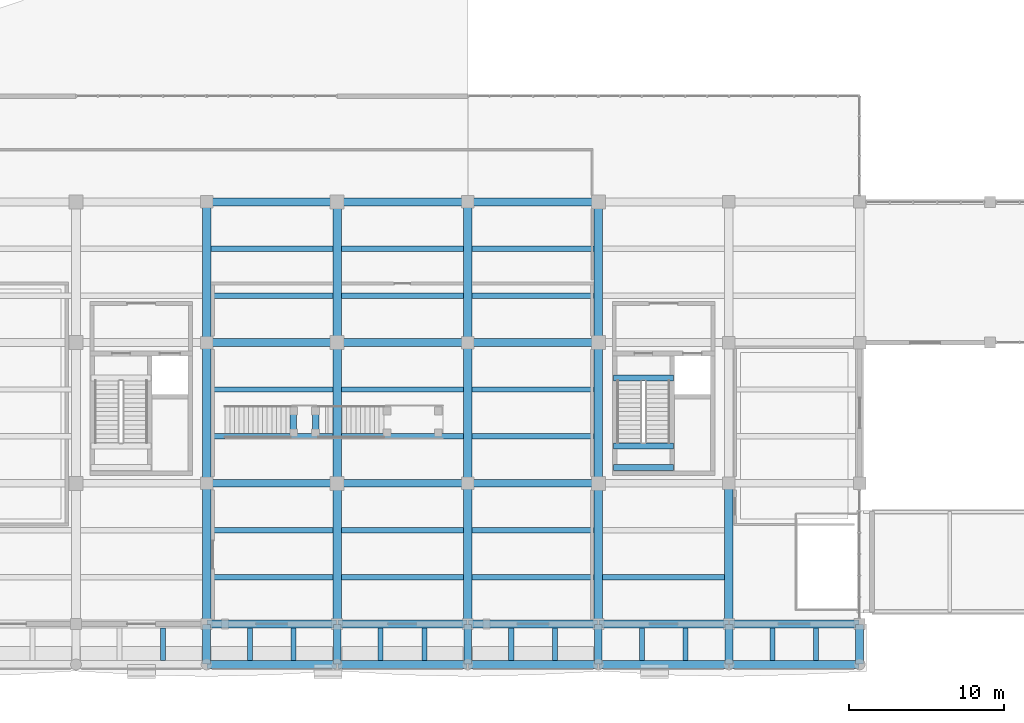
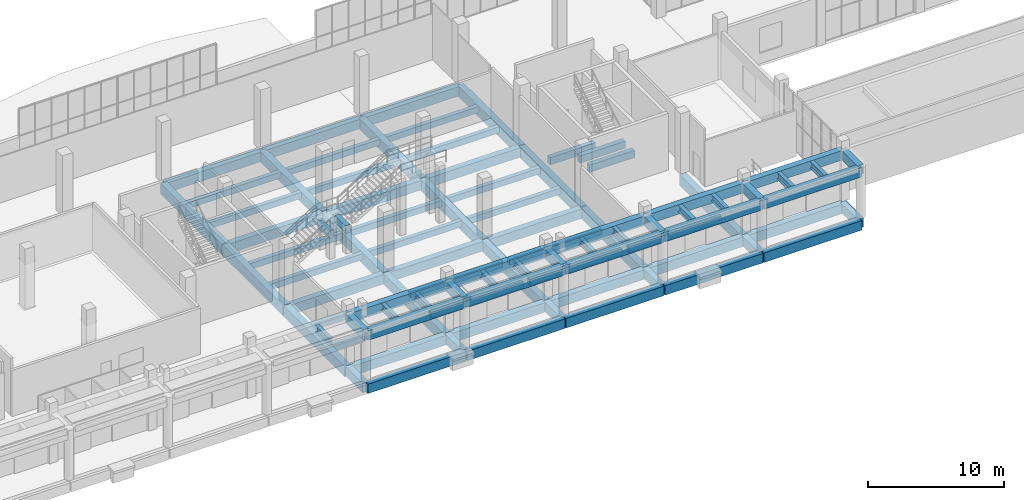
# One storey, part 21 of 91: 89 beams.
"""IFC4 building model written with IfcOpenShell, lengths in metres."""

from ifc_helpers import new_model, si_unit, direction, frame, origin, origin_2d, place, context, subcontext, project, spatial, rectangle, i_section, extrude, material, material_profile, profile_set, type_object, element, save


model = new_model("IFC4")

# Units and contexts
model_context = context("Model", 3, precision=1e-05, world=origin(), true_north=direction((0.0, 1.0)))
body_context = subcontext(model_context, "Body", "Model", "MODEL_VIEW")
ifc_project = project(units=[si_unit("LENGTHUNIT", "METRE"), si_unit("AREAUNIT", "SQUARE_METRE"), si_unit("VOLUMEUNIT", "CUBIC_METRE"), si_unit("PLANEANGLEUNIT", "RADIAN"), si_unit("MASSUNIT", "GRAM", prefix="KILO")], contexts=[model_context])

# Site, building, storey
site_placement = place(None, origin())
site = spatial("IfcSite", under=ifc_project, at=site_placement, CompositionType="ELEMENT")
building_placement = place(site_placement, origin())
building = spatial("IfcBuilding", under=site, at=building_placement, Name="Khurvash Pelagic Aquarium", CompositionType="ELEMENT")
storey_placement = place(building_placement, origin())
storey = spatial("IfcBuildingStorey", under=building, at=storey_placement, Name="L00", CompositionType="ELEMENT", Elevation=0.0)

# Beams
ifc_material_1 = material(Name="Concrete C40/50", Category="concrete")
ifc_material_profile_1 = material_profile(ifc_material_1, rectangle(XDim=0.550048828125, YDim=0.949951171875, at=origin_2d()), Name="RC550X950")
ifc_profile_set_1 = profile_set([ifc_material_profile_1], Name="Concrete C40/50")
beam_type_1 = type_object("IfcBeamType", Name="BM-02", PredefinedType="BEAM", material=ifc_profile_set_1)
beam_1_placement = place(storey_placement, frame((67.199951171875, 2.639892578125, -0.794921875), z_axis=(0.0, 1.0, 0.0), x_axis=(-1.0, 0.0, 0.0)))
element("IfcBeam", 1, at=beam_1_placement, inside=storey, type_object=beam_type_1, Name="L00 Primary Girder BM-02 00106", PredefinedType="BEAM", context=body_context, shape_type="SweptSolid", body=[
    extrude(rectangle(XDim=0.550048828125, YDim=0.949951171875, at=origin_2d()), origin(), (0.0, 0.0, 1.0), 8.97021484375),
])
for number, where, z_axis, x_axis, name in (
    (2, (67.199951171875, 11.68994140625, -0.794921875), (0.0, 1.0, 0.0), (-1.0, 0.0, 0.0), "L00 Primary Girder BM-02 00107"),
    (3, (67.199951171875, 20.739990234375, -0.794921875), (0.0, 1.0, 0.0), (-1.0, 0.0, 0.0), "L00 Primary Girder BM-02 00108"),
):
    element("IfcBeam", number, at=place(storey_placement, frame(where, z_axis=z_axis, x_axis=x_axis)), inside=storey, type_object=beam_type_1, Name=name, PredefinedType="BEAM", context=body_context, shape_type="SweptSolid", body=[
        extrude(rectangle(XDim=0.550048828125, YDim=0.949951171875, at=origin_2d()), origin(), (0.0, 0.0, 1.0), 8.969970703125),
    ])
beam_2_placement = place(storey_placement, frame((75.60009765625, 2.639892578125, -0.794921875), z_axis=(0.0, 1.0, 0.0), x_axis=(-1.0, 0.0, 0.0)))
element("IfcBeam", 4, at=beam_2_placement, inside=storey, type_object=beam_type_1, Name="L00 Primary Girder BM-02 00111", PredefinedType="BEAM", context=body_context, shape_type="SweptSolid", body=[
    extrude(rectangle(XDim=0.550048828125, YDim=0.949951171875, at=origin_2d()), origin(), (0.0, 0.0, 1.0), 8.97021484375),
])
for number, where, z_axis, x_axis, name in (
    (5, (75.60009765625, 11.68994140625, -0.794921875), (0.0, 1.0, 0.0), (-1.0, 0.0, 0.0), "L00 Primary Girder BM-02 00112"),
    (6, (75.60009765625, 20.739990234375, -0.794921875), (0.0, 1.0, 0.0), (-1.0, 0.0, 0.0), "L00 Primary Girder BM-02 00113"),
):
    element("IfcBeam", number, at=place(storey_placement, frame(where, z_axis=z_axis, x_axis=x_axis)), inside=storey, type_object=beam_type_1, Name=name, PredefinedType="BEAM", context=body_context, shape_type="SweptSolid", body=[
        extrude(rectangle(XDim=0.550048828125, YDim=0.949951171875, at=origin_2d()), origin(), (0.0, 0.0, 1.0), 8.969970703125),
    ])
beam_3_placement = place(storey_placement, frame((84.0, 2.639892578125, -0.794921875), z_axis=(0.0, 1.0, 0.0), x_axis=(-1.0, 0.0, 0.0)))
element("IfcBeam", 7, at=beam_3_placement, inside=storey, type_object=beam_type_1, Name="L00 Primary Girder BM-02 00116", PredefinedType="BEAM", context=body_context, shape_type="SweptSolid", body=[
    extrude(rectangle(XDim=0.550048828125, YDim=0.949951171875, at=origin_2d()), origin(), (0.0, 0.0, 1.0), 8.97021484375),
])
for number, where, z_axis, x_axis, name in (
    (8, (84.0, 11.68994140625, -0.794921875), (0.0, 1.0, 0.0), (-1.0, 0.0, 0.0), "L00 Primary Girder BM-02 00117"),
    (9, (84.0, 20.739990234375, -0.794921875), (0.0, 1.0, 0.0), (-1.0, 0.0, 0.0), "L00 Primary Girder BM-02 00118"),
):
    element("IfcBeam", number, at=place(storey_placement, frame(where, z_axis=z_axis, x_axis=x_axis)), inside=storey, type_object=beam_type_1, Name=name, PredefinedType="BEAM", context=body_context, shape_type="SweptSolid", body=[
        extrude(rectangle(XDim=0.550048828125, YDim=0.949951171875, at=origin_2d()), origin(), (0.0, 0.0, 1.0), 8.969970703125),
    ])
beam_4_placement = place(storey_placement, frame((92.39990234375, 2.639892578125, -0.794921875), z_axis=(0.0, 1.0, 0.0), x_axis=(-1.0, 0.0, 0.0)))
element("IfcBeam", 10, at=beam_4_placement, inside=storey, type_object=beam_type_1, Name="L00 Primary Girder BM-02 00121", PredefinedType="BEAM", context=body_context, shape_type="SweptSolid", body=[
    extrude(rectangle(XDim=0.550048828125, YDim=0.949951171875, at=origin_2d()), origin(), (0.0, 0.0, 1.0), 8.97021484375),
])
for number, where, z_axis, x_axis, name in (
    (11, (92.39990234375, 11.68994140625, -0.794921875), (0.0, 1.0, 0.0), (-1.0, 0.0, 0.0), "L00 Primary Girder BM-02 00122"),
    (12, (92.39990234375, 20.739990234375, -0.794921875), (0.0, 1.0, 0.0), (-1.0, 0.0, 0.0), "L00 Primary Girder BM-02 00123"),
):
    element("IfcBeam", number, at=place(storey_placement, frame(where, z_axis=z_axis, x_axis=x_axis)), inside=storey, type_object=beam_type_1, Name=name, PredefinedType="BEAM", context=body_context, shape_type="SweptSolid", body=[
        extrude(rectangle(XDim=0.550048828125, YDim=0.949951171875, at=origin_2d()), origin(), (0.0, 0.0, 1.0), 8.969970703125),
    ])
beam_5_placement = place(storey_placement, frame((100.800048828125, 2.639892578125, -0.794921875), z_axis=(0.0, 1.0, 0.0), x_axis=(-1.0, 0.0, 0.0)))
element("IfcBeam", 13, at=beam_5_placement, inside=storey, type_object=beam_type_1, Name="L00 Primary Girder BM-02 00126", PredefinedType="BEAM", context=body_context, shape_type="SweptSolid", body=[
    extrude(rectangle(XDim=0.550048828125, YDim=0.949951171875, at=origin_2d()), origin(), (0.0, 0.0, 1.0), 8.97021484375),
])
ifc_material_profile_2 = material_profile(ifc_material_1, rectangle(XDim=0.5, YDim=0.85009765625, at=origin_2d()), Name="RC500X850")
ifc_profile_set_2 = profile_set([ifc_material_profile_2], Name="Concrete C40/50")
beam_type_2 = type_object("IfcBeamType", Name="BM-03", PredefinedType="BEAM", material=ifc_profile_set_2)
for number, where, z_axis, x_axis, name in (
    (14, (67.239990234375, 11.64990234375, -0.7451171875), (1.0, 0.0, 0.0), (0.0, 1.0, 0.0), "L00 Primary Girder BM-03 00016"),
    (15, (75.639892578125, 11.64990234375, -0.7451171875), (1.0, 0.0, 0.0), (0.0, 1.0, 0.0), "L00 Primary Girder BM-03 00017"),
    (16, (84.0400390625, 11.64990234375, -0.7451171875), (1.0, 0.0, 0.0), (0.0, 1.0, 0.0), "L00 Primary Girder BM-03 00018"),
    (17, (67.239990234375, 20.699951171875, -0.7451171875), (1.0, 0.0, 0.0), (0.0, 1.0, 0.0), "L00 Primary Girder BM-03 00026"),
    (18, (75.639892578125, 20.699951171875, -0.7451171875), (1.0, 0.0, 0.0), (0.0, 1.0, 0.0), "L00 Primary Girder BM-03 00027"),
    (19, (84.0400390625, 20.699951171875, -0.7451171875), (1.0, 0.0, 0.0), (0.0, 1.0, 0.0), "L00 Primary Girder BM-03 00028"),
    (20, (67.239990234375, 29.75, -0.7451171875), (1.0, 0.0, 0.0), (0.0, 1.0, 0.0), "L00 Primary Girder BM-03 00036"),
    (21, (75.639892578125, 29.75, -0.7451171875), (1.0, 0.0, 0.0), (0.0, 1.0, 0.0), "L00 Primary Girder BM-03 00037"),
    (22, (84.0400390625, 29.75, -0.7451171875), (1.0, 0.0, 0.0), (0.0, 1.0, 0.0), "L00 Primary Girder BM-03 00038"),
):
    element("IfcBeam", number, at=place(storey_placement, frame(where, z_axis=z_axis, x_axis=x_axis)), inside=storey, type_object=beam_type_2, Name=name, PredefinedType="BEAM", context=body_context, shape_type="SweptSolid", body=[
        extrude(rectangle(XDim=0.5, YDim=0.85009765625, at=origin_2d()), origin(), (0.0, 0.0, 1.0), 8.320068359375),
    ])
ifc_material_2 = material(Name="Concrete C35/45", Category="concrete")
ifc_material_profile_3 = material_profile(ifc_material_2, rectangle(XDim=0.39990234375, YDim=0.64990234375, at=origin_2d()), Name="RC400X650")
ifc_profile_set_3 = profile_set([ifc_material_profile_3], Name="Concrete C35/45")
beam_type_3 = type_object("IfcBeamType", Name="BM-05", PredefinedType="BEAM", material=ifc_profile_set_3)
for number, where, z_axis, x_axis, name in (
    (23, (93.3798828125, 18.429931640625, -0.64501953125), (1.0, 0.0, 0.0), (0.0, 1.0, 0.0), "L00 Stair ST-03 Header Trimmer Beam BM-05"),
    (24, (93.3798828125, 12.669921875, 2.175048828125), (1.0, 0.0, 0.0), (0.0, 1.0, 0.0), "L00 Stair ST-03 Mid-Landing Trimmer Beam BM-05"),
    (25, (93.3798828125, 14.0400390625, 2.175048828125), (1.0, 0.0, 0.0), (0.0, 1.0, 0.0), "L00 Stair ST-03 Mid-Landing Trimmer Beam BM-05"),
):
    element("IfcBeam", number, at=place(storey_placement, frame(where, z_axis=z_axis, x_axis=x_axis)), inside=storey, type_object=beam_type_3, Name=name, PredefinedType="BEAM", context=body_context, shape_type="SweptSolid", body=[
        extrude(rectangle(XDim=0.39990234375, YDim=0.64990234375, at=origin_2d()), origin(), (0.0, 0.0, 1.0), 3.840087890625),
    ])
for number, where, z_axis, x_axis, name in (
    (26, (72.780029296875, 14.800048828125, 2.074951171875), (0.0, 1.0, 0.0), (-1.0, 0.0, 0.0), "Foyer Feature Stair ST-07 Trimmer Beam BM-05"),
    (27, (74.219970703125, 14.800048828125, 2.074951171875), (0.0, 1.0, 0.0), (-1.0, 0.0, 0.0), "Foyer Feature Stair ST-07 Trimmer Beam BM-05"),
):
    element("IfcBeam", number, at=place(storey_placement, frame(where, z_axis=z_axis, x_axis=x_axis)), inside=storey, type_object=beam_type_3, Name=name, PredefinedType="BEAM", context=body_context, shape_type="SweptSolid", body=[
        extrude(rectangle(XDim=0.39990234375, YDim=0.64990234375, at=origin_2d()), origin(), (0.0, 0.0, 1.0), 1.599853515625),
    ])
ifc_material_3 = material(Name="Steel ASTM A992 Grade 50", Category="steel")
ifc_material_profile_4 = material_profile(ifc_material_3, i_section(OverallWidth=0.324951171875, OverallDepth=0.612060546875, WebThickness=0.0126953125, FlangeThickness=0.01904296875, at=origin_2d()), Name="W24X104")
ifc_profile_set_4 = profile_set([ifc_material_profile_4], Name="Steel ASTM A992 Grade 50")
beam_type_4 = type_object("IfcBeamType", Name="BM-15", PredefinedType="BEAM", material=ifc_profile_set_4)
for number, where, z_axis, x_axis, name in (
    (28, (64.403076171875, 2.340087890625, 4.194091796875), (0.0, -1.0, 0.0), (1.0, 0.0, 0.0), "L00 Boulevard Arcade Raked Canopy Rib BM-15"),
    (29, (69.9970703125, 2.340087890625, 4.194091796875), (0.0, -1.0, 0.0), (1.0, 0.0, 0.0), "L00 Boulevard Arcade Raked Canopy Rib BM-15"),
    (30, (72.802978515625, 2.340087890625, 4.194091796875), (0.0, -1.0, 0.0), (1.0, 0.0, 0.0), "L00 Boulevard Arcade Raked Canopy Rib BM-15"),
    (31, (78.39697265625, 2.340087890625, 4.194091796875), (0.0, -1.0, 0.0), (1.0, 0.0, 0.0), "L00 Boulevard Arcade Raked Canopy Rib BM-15"),
    (32, (81.202880859375, 2.340087890625, 4.194091796875), (0.0, -1.0, 0.0), (1.0, 0.0, 0.0), "L00 Boulevard Arcade Raked Canopy Rib BM-15"),
    (33, (86.797119140625, 2.340087890625, 4.194091796875), (0.0, -1.0, 0.0), (1.0, 0.0, 0.0), "L00 Boulevard Arcade Raked Canopy Rib BM-15"),
    (34, (89.60302734375, 2.340087890625, 4.194091796875), (0.0, -1.0, 0.0), (1.0, 0.0, 0.0), "L00 Boulevard Arcade Raked Canopy Rib BM-15"),
    (35, (95.197021484375, 2.340087890625, 4.194091796875), (0.0, -1.0, 0.0), (1.0, 0.0, 0.0), "L00 Boulevard Arcade Raked Canopy Rib BM-15"),
    (36, (98.0029296875, 2.340087890625, 4.194091796875), (0.0, -1.0, 0.0), (1.0, 0.0, 0.0), "L00 Boulevard Arcade Raked Canopy Rib BM-15"),
    (37, (103.596923828125, 2.340087890625, 4.194091796875), (0.0, -1.0, 0.0), (1.0, 0.0, 0.0), "L00 Boulevard Arcade Raked Canopy Rib BM-15"),
    (38, (106.403076171875, 2.340087890625, 4.194091796875), (0.0, -1.0, 0.0), (1.0, 0.0, 0.0), "L00 Boulevard Arcade Raked Canopy Rib BM-15"),
):
    element("IfcBeam", number, at=place(storey_placement, frame(where, z_axis=z_axis, x_axis=x_axis)), inside=storey, type_object=beam_type_4, Name=name, PredefinedType="BEAM", context=body_context, shape_type="SweptSolid", body=[
        extrude(i_section(OverallWidth=0.324951171875, OverallDepth=0.612060546875, WebThickness=0.0126953125, FlangeThickness=0.01904296875, at=origin_2d()), origin(), (0.0, 0.0, 1.0), 2.080078125),
    ])
ifc_material_profile_5 = material_profile(ifc_material_2, rectangle(XDim=0.35009765625, YDim=0.550048828125, at=origin_2d()), Name="RC350X550")
ifc_profile_set_5 = profile_set([ifc_material_profile_5], Name="Concrete C35/45")
beam_type_5 = type_object("IfcBeamType", Name="JS-01", PredefinedType="JOIST", material=ifc_profile_set_5)
for number, where, z_axis, x_axis, name in (
    (39, (67.47509765625, 5.616943359375, -0.594970703125), (1.0, 0.0, 0.0), (0.0, 1.0, 0.0), "L00 Floor Joist JS-01 00191"),
    (40, (67.47509765625, 8.633056640625, -0.594970703125), (1.0, 0.0, 0.0), (0.0, 1.0, 0.0), "L00 Floor Joist JS-01 00192"),
    (41, (67.47509765625, 14.6669921875, -0.594970703125), (1.0, 0.0, 0.0), (0.0, 1.0, 0.0), "L00 Floor Joist JS-01 00193"),
    (42, (67.47509765625, 17.68310546875, -0.594970703125), (1.0, 0.0, 0.0), (0.0, 1.0, 0.0), "L00 Floor Joist JS-01 00194"),
    (43, (67.47509765625, 23.717041015625, -0.594970703125), (1.0, 0.0, 0.0), (0.0, 1.0, 0.0), "L00 Floor Joist JS-01 00195"),
    (44, (67.47509765625, 26.73291015625, -0.594970703125), (1.0, 0.0, 0.0), (0.0, 1.0, 0.0), "L00 Floor Joist JS-01 00196"),
):
    element("IfcBeam", number, at=place(storey_placement, frame(where, z_axis=z_axis, x_axis=x_axis)), inside=storey, type_object=beam_type_5, Name=name, PredefinedType="JOIST", context=body_context, shape_type="SweptSolid", body=[
        extrude(rectangle(XDim=0.35009765625, YDim=0.550048828125, at=origin_2d()), origin(), (0.0, 0.0, 1.0), 7.849853515625),
    ])
for number, where, z_axis, x_axis, name in (
    (45, (75.875, 5.616943359375, -0.594970703125), (1.0, 0.0, 0.0), (0.0, 1.0, 0.0), "L00 Floor Joist JS-01 00199"),
    (46, (75.875, 8.633056640625, -0.594970703125), (1.0, 0.0, 0.0), (0.0, 1.0, 0.0), "L00 Floor Joist JS-01 00200"),
    (47, (75.875, 14.6669921875, -0.594970703125), (1.0, 0.0, 0.0), (0.0, 1.0, 0.0), "L00 Floor Joist JS-01 00201"),
    (48, (75.875, 17.68310546875, -0.594970703125), (1.0, 0.0, 0.0), (0.0, 1.0, 0.0), "L00 Floor Joist JS-01 00202"),
    (49, (75.875, 23.717041015625, -0.594970703125), (1.0, 0.0, 0.0), (0.0, 1.0, 0.0), "L00 Floor Joist JS-01 00203"),
    (50, (75.875, 26.73291015625, -0.594970703125), (1.0, 0.0, 0.0), (0.0, 1.0, 0.0), "L00 Floor Joist JS-01 00204"),
    (51, (84.27490234375, 5.616943359375, -0.594970703125), (1.0, 0.0, 0.0), (0.0, 1.0, 0.0), "L00 Floor Joist JS-01 00209"),
    (52, (84.27490234375, 8.633056640625, -0.594970703125), (1.0, 0.0, 0.0), (0.0, 1.0, 0.0), "L00 Floor Joist JS-01 00210"),
    (53, (84.27490234375, 14.6669921875, -0.594970703125), (1.0, 0.0, 0.0), (0.0, 1.0, 0.0), "L00 Floor Joist JS-01 00211"),
    (54, (84.27490234375, 17.68310546875, -0.594970703125), (1.0, 0.0, 0.0), (0.0, 1.0, 0.0), "L00 Floor Joist JS-01 00212"),
    (55, (84.27490234375, 23.717041015625, -0.594970703125), (1.0, 0.0, 0.0), (0.0, 1.0, 0.0), "L00 Floor Joist JS-01 00213"),
    (56, (84.27490234375, 26.73291015625, -0.594970703125), (1.0, 0.0, 0.0), (0.0, 1.0, 0.0), "L00 Floor Joist JS-01 00214"),
):
    element("IfcBeam", number, at=place(storey_placement, frame(where, z_axis=z_axis, x_axis=x_axis)), inside=storey, type_object=beam_type_5, Name=name, PredefinedType="JOIST", context=body_context, shape_type="SweptSolid", body=[
        extrude(rectangle(XDim=0.35009765625, YDim=0.550048828125, at=origin_2d()), origin(), (0.0, 0.0, 1.0), 7.85009765625),
    ])
beam_6_placement = place(storey_placement, frame((92.675048828125, 5.616943359375, -0.594970703125), z_axis=(1.0, 0.0, 0.0), x_axis=(0.0, 1.0, 0.0)))
element("IfcBeam", 57, at=beam_6_placement, inside=storey, type_object=beam_type_5, Name="L00 Floor Joist JS-01 00219", PredefinedType="JOIST", context=body_context, shape_type="SweptSolid", body=[
    extrude(rectangle(XDim=0.35009765625, YDim=0.550048828125, at=origin_2d()), origin(), (0.0, 0.0, 1.0), 7.849853515625),
])
ifc_material_profile_6 = material_profile(ifc_material_1, rectangle(XDim=0.5, YDim=0.85009765625, at=origin_2d()), Name="RC500X850")
ifc_profile_set_6 = profile_set([ifc_material_profile_6], Name="Concrete C40/50")
beam_type_6 = type_object("IfcBeamType", Name="SEB-03", PredefinedType="SPANDREL", material=ifc_profile_set_6)
for number, where, z_axis, x_axis, name in (
    (58, (67.239990234375, 2.60009765625, -0.7451171875), (1.0, 0.0, 0.0), (0.0, 1.0, 0.0), "L00 Primary Girder SEB-03 00006"),
    (59, (75.639892578125, 2.60009765625, -0.7451171875), (1.0, 0.0, 0.0), (0.0, 1.0, 0.0), "L00 Primary Girder SEB-03 00007"),
    (60, (84.0400390625, 2.60009765625, -0.7451171875), (1.0, 0.0, 0.0), (0.0, 1.0, 0.0), "L00 Primary Girder SEB-03 00008"),
    (61, (92.43994140625, 2.60009765625, -0.7451171875), (1.0, 0.0, 0.0), (0.0, 1.0, 0.0), "L00 Primary Girder SEB-03 00009"),
):
    element("IfcBeam", number, at=place(storey_placement, frame(where, z_axis=z_axis, x_axis=x_axis)), inside=storey, type_object=beam_type_6, Name=name, PredefinedType="SPANDREL", context=body_context, shape_type="SweptSolid", body=[
        extrude(rectangle(XDim=0.5, YDim=0.85009765625, at=origin_2d()), origin(), (0.0, 0.0, 1.0), 8.320068359375),
    ])
beam_7_placement = place(storey_placement, frame((100.840087890625, 2.60009765625, -0.7451171875), z_axis=(1.0, 0.0, 0.0), x_axis=(0.0, 1.0, 0.0)))
element("IfcBeam", 62, at=beam_7_placement, inside=storey, type_object=beam_type_6, Name="L00 Primary Girder SEB-03 00010", PredefinedType="SPANDREL", context=body_context, shape_type="SweptSolid", body=[
    extrude(rectangle(XDim=0.5, YDim=0.85009765625, at=origin_2d()), origin(), (0.0, 0.0, 1.0), 8.31982421875),
])
for number, where, z_axis, x_axis, name in (
    (63, (67.239990234375, 0.0, -0.695068359375), (1.0, 0.0, 0.0), (0.0, 1.0, 0.0), "L00 Boulevard Arcade Grade Beam SEB-03"),
    (64, (67.239990234375, 0.0, 4.074951171875), (1.0, 0.0, 0.0), (0.0, 1.0, 0.0), "L00 Boulevard Arcade Canopy Edge Beam SEB-03"),
    (65, (67.239990234375, 2.60009765625, 4.074951171875), (1.0, 0.0, 0.0), (0.0, 1.0, 0.0), "L00 Boulevard Arcade Rear Canopy Girder SEB-03"),
    (66, (75.639892578125, 0.0, -0.695068359375), (1.0, 0.0, 0.0), (0.0, 1.0, 0.0), "L00 Boulevard Arcade Grade Beam SEB-03"),
    (67, (75.639892578125, 0.0, 4.074951171875), (1.0, 0.0, 0.0), (0.0, 1.0, 0.0), "L00 Boulevard Arcade Canopy Edge Beam SEB-03"),
    (68, (75.639892578125, 2.60009765625, 4.074951171875), (1.0, 0.0, 0.0), (0.0, 1.0, 0.0), "L00 Boulevard Arcade Rear Canopy Girder SEB-03"),
    (69, (84.0400390625, 0.0, -0.695068359375), (1.0, 0.0, 0.0), (0.0, 1.0, 0.0), "L00 Boulevard Arcade Grade Beam SEB-03"),
    (70, (84.0400390625, 0.0, 4.074951171875), (1.0, 0.0, 0.0), (0.0, 1.0, 0.0), "L00 Boulevard Arcade Canopy Edge Beam SEB-03"),
    (71, (84.0400390625, 2.60009765625, 4.074951171875), (1.0, 0.0, 0.0), (0.0, 1.0, 0.0), "L00 Boulevard Arcade Rear Canopy Girder SEB-03"),
    (72, (92.43994140625, 0.0, -0.695068359375), (1.0, 0.0, 0.0), (0.0, 1.0, 0.0), "L00 Boulevard Arcade Grade Beam SEB-03"),
    (73, (92.43994140625, 0.0, 4.074951171875), (1.0, 0.0, 0.0), (0.0, 1.0, 0.0), "L00 Boulevard Arcade Canopy Edge Beam SEB-03"),
    (74, (92.43994140625, 2.60009765625, 4.074951171875), (1.0, 0.0, 0.0), (0.0, 1.0, 0.0), "L00 Boulevard Arcade Rear Canopy Girder SEB-03"),
):
    element("IfcBeam", number, at=place(storey_placement, frame(where, z_axis=z_axis, x_axis=x_axis)), inside=storey, type_object=beam_type_6, Name=name, PredefinedType="SPANDREL", context=body_context, shape_type="SweptSolid", body=[
        extrude(rectangle(XDim=0.5, YDim=0.85009765625, at=origin_2d()), origin(), (0.0, 0.0, 1.0), 8.320068359375),
    ])
for number, where, z_axis, x_axis, name in (
    (75, (100.840087890625, 0.0, -0.695068359375), (1.0, 0.0, 0.0), (0.0, 1.0, 0.0), "L00 Boulevard Arcade Grade Beam SEB-03"),
    (76, (100.840087890625, 0.0, 4.074951171875), (1.0, 0.0, 0.0), (0.0, 1.0, 0.0), "L00 Boulevard Arcade Canopy Edge Beam SEB-03"),
    (77, (100.840087890625, 2.60009765625, 4.074951171875), (1.0, 0.0, 0.0), (0.0, 1.0, 0.0), "L00 Boulevard Arcade Rear Canopy Girder SEB-03"),
):
    element("IfcBeam", number, at=place(storey_placement, frame(where, z_axis=z_axis, x_axis=x_axis)), inside=storey, type_object=beam_type_6, Name=name, PredefinedType="SPANDREL", context=body_context, shape_type="SweptSolid", body=[
        extrude(rectangle(XDim=0.5, YDim=0.85009765625, at=origin_2d()), origin(), (0.0, 0.0, 1.0), 8.31982421875),
    ])
for number, where, z_axis, x_axis, name in (
    (78, (67.199951171875, 0.0400390625, -0.695068359375), (0.0, 1.0, 0.0), (-1.0, 0.0, 0.0), "L00 Boulevard Arcade Transverse Grade Beam SEB-03"),
    (79, (67.199951171875, 0.0400390625, 4.074951171875), (0.0, 1.0, 0.0), (-1.0, 0.0, 0.0), "L00 Boulevard Arcade Canopy Tie Beam SEB-03"),
    (80, (75.60009765625, 0.0400390625, -0.695068359375), (0.0, 1.0, 0.0), (-1.0, 0.0, 0.0), "L00 Boulevard Arcade Transverse Grade Beam SEB-03"),
    (81, (75.60009765625, 0.0400390625, 4.074951171875), (0.0, 1.0, 0.0), (-1.0, 0.0, 0.0), "L00 Boulevard Arcade Canopy Tie Beam SEB-03"),
    (82, (84.0, 0.0400390625, -0.695068359375), (0.0, 1.0, 0.0), (-1.0, 0.0, 0.0), "L00 Boulevard Arcade Transverse Grade Beam SEB-03"),
    (83, (84.0, 0.0400390625, 4.074951171875), (0.0, 1.0, 0.0), (-1.0, 0.0, 0.0), "L00 Boulevard Arcade Canopy Tie Beam SEB-03"),
    (84, (92.39990234375, 0.0400390625, -0.695068359375), (0.0, 1.0, 0.0), (-1.0, 0.0, 0.0), "L00 Boulevard Arcade Transverse Grade Beam SEB-03"),
    (85, (92.39990234375, 0.0400390625, 4.074951171875), (0.0, 1.0, 0.0), (-1.0, 0.0, 0.0), "L00 Boulevard Arcade Canopy Tie Beam SEB-03"),
    (86, (100.800048828125, 0.0400390625, -0.695068359375), (0.0, 1.0, 0.0), (-1.0, 0.0, 0.0), "L00 Boulevard Arcade Transverse Grade Beam SEB-03"),
    (87, (100.800048828125, 0.0400390625, 4.074951171875), (0.0, 1.0, 0.0), (-1.0, 0.0, 0.0), "L00 Boulevard Arcade Canopy Tie Beam SEB-03"),
    (88, (109.199951171875, 0.0400390625, -0.695068359375), (0.0, 1.0, 0.0), (-1.0, 0.0, 0.0), "L00 Boulevard Arcade Transverse Grade Beam SEB-03"),
    (89, (109.199951171875, 0.0400390625, 4.074951171875), (0.0, 1.0, 0.0), (-1.0, 0.0, 0.0), "L00 Boulevard Arcade Canopy Tie Beam SEB-03"),
):
    element("IfcBeam", number, at=place(storey_placement, frame(where, z_axis=z_axis, x_axis=x_axis)), inside=storey, type_object=beam_type_6, Name=name, PredefinedType="SPANDREL", context=body_context, shape_type="SweptSolid", body=[
        extrude(rectangle(XDim=0.5, YDim=0.85009765625, at=origin_2d()), origin(), (0.0, 0.0, 1.0), 2.52001953125),
    ])

save(model, "model.ifc")
